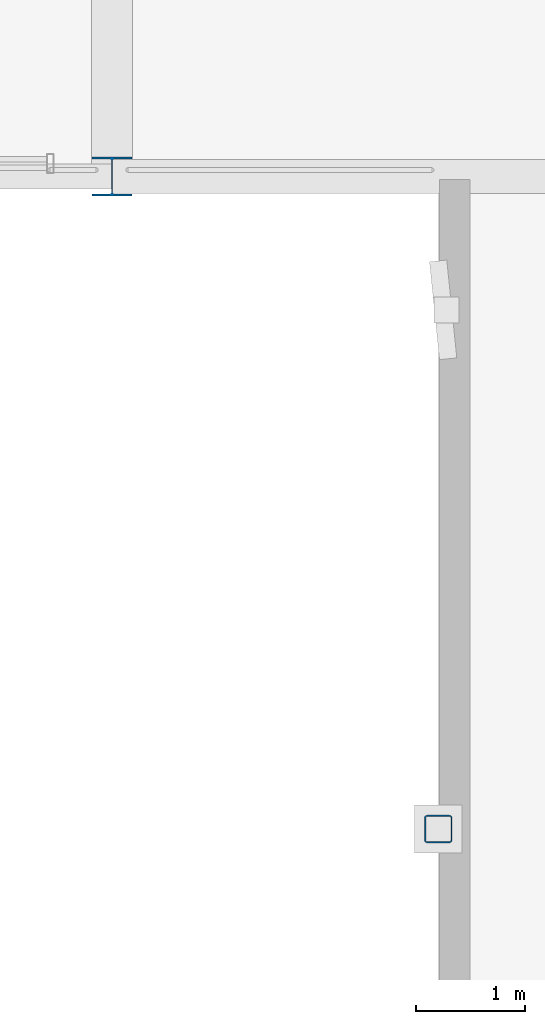
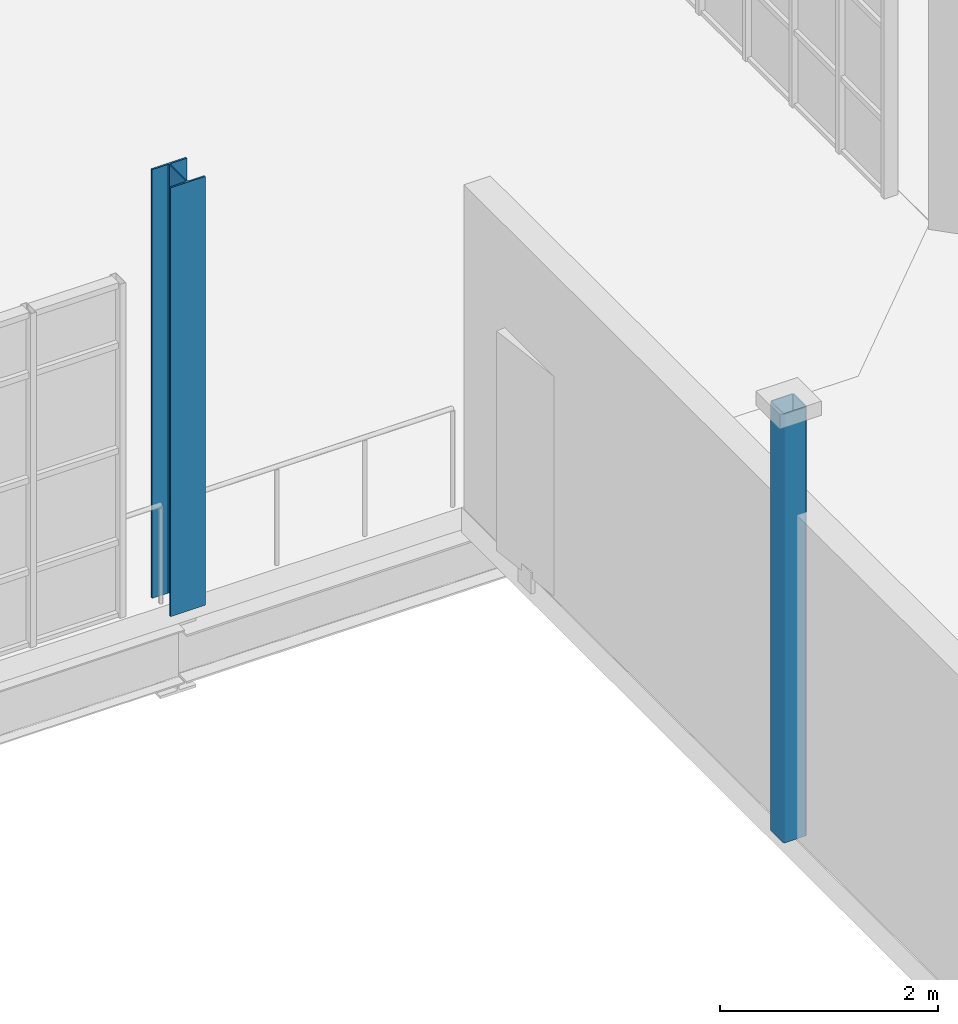
# One storey, part 2 of 85: 2 columns.
"""IFC4 building model written with IfcOpenShell, lengths in metres."""

from ifc_helpers import new_model, si_unit, direction, frame, origin, origin_2d, place, context, subcontext, project, spatial, hollow_rectangle, i_section, extrude, material, material_profile, profile_set, type_object, element, save


model = new_model("IFC4")

# Units and contexts
model_context = context("Model", 3, precision=1e-05, world=origin(), true_north=direction((0.0, 1.0)))
body_context = subcontext(model_context, "Body", "Model", "MODEL_VIEW")
ifc_project = project(units=[si_unit("LENGTHUNIT", "METRE"), si_unit("AREAUNIT", "SQUARE_METRE"), si_unit("VOLUMEUNIT", "CUBIC_METRE"), si_unit("PLANEANGLEUNIT", "RADIAN"), si_unit("MASSUNIT", "GRAM", prefix="KILO"), si_unit("THERMODYNAMICTEMPERATUREUNIT", "KELVIN"), si_unit("POWERUNIT", "WATT")], contexts=[model_context])

# Site, building, storey
site_placement = place(None, origin())
site = spatial("IfcSite", under=ifc_project, at=site_placement, CompositionType="ELEMENT")
building_placement = place(site_placement, origin())
building = spatial("IfcBuilding", under=site, at=building_placement, Name="Zelmaris Science Centre", CompositionType="ELEMENT")
storey_placement = place(building_placement, frame((0.0, 0.0, 20.39990234375)))
storey = spatial("IfcBuildingStorey", under=building, at=storey_placement, Name="L04", CompositionType="ELEMENT", Elevation=20.39990234375)

# Columns
ifc_material_1 = material(Name="Steel ASTM A992 Grade 50", Category="steel")
ifc_material_profile_1 = material_profile(ifc_material_1, i_section(OverallWidth=0.367919921875, OverallDepth=0.35595703125, WebThickness=0.01123046875, FlangeThickness=0.01806640625, FilletRadius=0.014892578125, at=origin_2d()), Name="W14X90")
ifc_profile_set_1 = profile_set([ifc_material_profile_1], Name="Steel ASTM A992 Grade 50")
column_type_1 = type_object("IfcColumnType", Name="Column C-07 W14X90", PredefinedType="COLUMN", material=ifc_profile_set_1)
column_1_placement = place(storey_placement, frame((72.0, 64.0, 0.0), z_axis=(0.0, 0.0, 1.0), x_axis=(1.0, 0.0, 0.0)))
element("IfcColumn", 1, at=column_1_placement, inside=storey, type_object=column_type_1, Name="Column V5-C-72-64 L04", PredefinedType="COLUMN", context=body_context, shape_type="SweptSolid", body=[
    extrude(i_section(OverallWidth=0.367919921875, OverallDepth=0.35595703125, WebThickness=0.01123046875, FlangeThickness=0.01806640625, FilletRadius=0.014892578125, at=origin_2d()), origin(), (0.0, 0.0, 1.0), 4.800048828125),
])
ifc_material_2 = material(Name="Steel ASTM A500 Grade C", Category="steel")
ifc_material_profile_2 = material_profile(ifc_material_2, hollow_rectangle(XDim=0.25390625, YDim=0.25390625, WallThickness=0.01171875, InnerFilletRadius=0.01171875, OuterFilletRadius=0.023681640625, at=origin_2d()), Name="HSS254X254X13")
ifc_profile_set_2 = profile_set([ifc_material_profile_2], Name="Steel ASTM A500 Grade C")
column_type_2 = type_object("IfcColumnType", Name="Column C-11 HSS254X254X13", PredefinedType="COLUMN", material=ifc_profile_set_2)
column_2_placement = place(storey_placement, frame((75.0, 58.0, 0.0), z_axis=(0.0, 0.0, 1.0), x_axis=(1.0, 0.0, 0.0)))
element("IfcColumn", 2, at=column_2_placement, inside=storey, type_object=column_type_2, Name="Column LK-N-75 L04", PredefinedType="COLUMN", context=body_context, shape_type="SweptSolid", body=[
    extrude(hollow_rectangle(XDim=0.25390625, YDim=0.25390625, WallThickness=0.01171875, InnerFilletRadius=0.01171875, OuterFilletRadius=0.023681640625, at=origin_2d()), origin(), (0.0, 0.0, 1.0), 4.800048828125),
])

save(model, "model.ifc")
